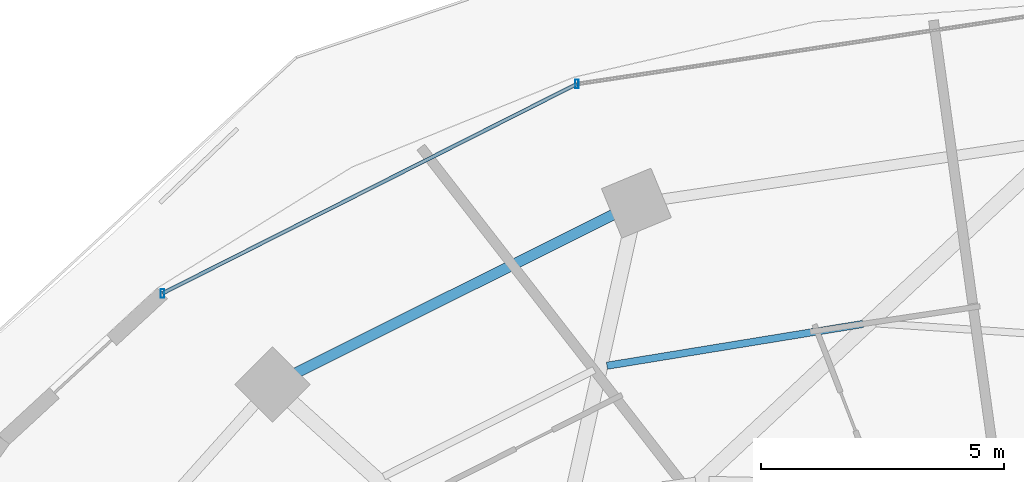
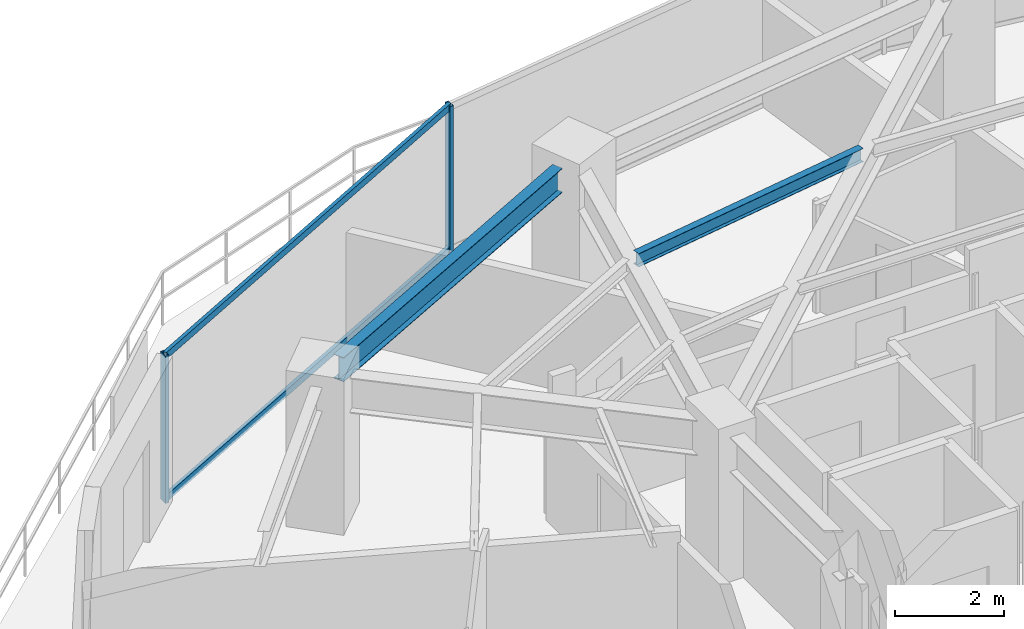
# One storey, part 16 of 30: 4 members, 2 beams, 1 element without a shape of its own.
"""IFC4 building model written with IfcOpenShell, lengths in metres."""

from ifc_helpers import new_model, si_unit, direction, frame, origin, origin_2d, place, context, subcontext, project, spatial, hollow_rectangle, i_section, extrude, material, material_profile, profile_set, type_object, element, aggregate, save


model = new_model("IFC4")

# Units and contexts
model_context = context("Model", 3, precision=1e-05, world=origin(), true_north=direction((0.0, 1.0)))
body_context = subcontext(model_context, "Body", "Model", "MODEL_VIEW")
ifc_project = project(units=[si_unit("LENGTHUNIT", "METRE"), si_unit("AREAUNIT", "SQUARE_METRE"), si_unit("VOLUMEUNIT", "CUBIC_METRE"), si_unit("PLANEANGLEUNIT", "RADIAN"), si_unit("MASSUNIT", "GRAM", prefix="KILO")], contexts=[model_context])

# Site, building, storey
site_placement = place(None, origin())
site = spatial("IfcSite", under=ifc_project, at=site_placement, CompositionType="ELEMENT")
building_placement = place(site_placement, origin())
building = spatial("IfcBuilding", under=site, at=building_placement, Name="Vorneva Point Tower", CompositionType="ELEMENT")
storey_placement = place(building_placement, frame((0.0, 0.0, 92.800048828125)))
storey = spatial("IfcBuildingStorey", under=building, at=storey_placement, Name="L24", CompositionType="ELEMENT", Elevation=92.800048828125)

# Beams
ifc_material_1 = material(Name="Steel S355", Category="steel")
ifc_material_profile_1 = material_profile(ifc_material_1, i_section(OverallWidth=0.14892578125, OverallDepth=0.298095703125, WebThickness=0.005615234375, FlangeThickness=0.008056640625, at=origin_2d()), Name="30B1")
ifc_profile_set_1 = profile_set([ifc_material_profile_1], Name="Steel S355")
beam_type_1 = type_object("IfcBeamType", Name="BM-JST-30B1", PredefinedType="JOIST", material=ifc_profile_set_1)
beam_1_placement = place(storey_placement, frame((33.831787109375, 39.408203125, 3.091064453125), z_axis=(-0.986930947591, -0.161143739214, 0.0), x_axis=(0.161143739214, -0.986930947591, 0.0)))
element("IfcBeam", 1, at=beam_1_placement, inside=storey, type_object=beam_type_1, Name="L24 Secondary Floor Beam 1.05", PredefinedType="JOIST", context=body_context, shape_type="SweptSolid", body=[
    extrude(i_section(OverallWidth=0.14892578125, OverallDepth=0.298095703125, WebThickness=0.005615234375, FlangeThickness=0.008056640625, at=origin_2d()), origin(), (0.0, 0.0, 1.0), 5.328369140625),
])
ifc_material_profile_2 = material_profile(ifc_material_1, i_section(OverallWidth=0.219970703125, OverallDepth=0.54296875, WebThickness=0.009521484375, FlangeThickness=0.013427734375, at=origin_2d()), Name="55B1")
ifc_profile_set_2 = profile_set([ifc_material_profile_2], Name="Steel S355")
beam_type_2 = type_object("IfcBeamType", Name="BM-SPN-55B1", PredefinedType="SPANDREL", material=ifc_profile_set_2)
beam_2_placement = place(storey_placement, frame((28.7001953125, 41.652099609375, 2.968505859375), z_axis=(-0.894915882304, -0.446234874926, 0.0), x_axis=(0.446234874926, -0.894915882304, 0.0)))
element("IfcBeam", 2, at=beam_2_placement, inside=storey, type_object=beam_type_2, Name="L24 Perimeter Spandrel Ring Beam 06", PredefinedType="SPANDREL", context=body_context, shape_type="SweptSolid", body=[
    extrude(i_section(OverallWidth=0.219970703125, OverallDepth=0.54296875, WebThickness=0.009521484375, FlangeThickness=0.013427734375, at=origin_2d()), origin(), (0.0, 0.0, 1.0), 7.285888671875),
])

# Curtain wall, members
ifc_material_2 = material(Name="Pale anodised aluminium", Category="aluminium")
curtain_wall_type = type_object("IfcCurtainWallType", Name="CW-HTL-SYS", PredefinedType="NOTDEFINED", material=ifc_material_2)
curtain_wall_placement = place(storey_placement, origin())
curtain_wall = element("IfcCurtainWall", 3, at=curtain_wall_placement, inside=storey, type_object=curtain_wall_type, Name="L24 Unitised Curtain Wall CW-L24-R02", PredefinedType="NOTDEFINED")
ifc_material_profile_3 = material_profile(ifc_material_2, hollow_rectangle(XDim=0.074951171875, YDim=0.179931640625, WallThickness=0.00390625, at=origin_2d()), Name="AL-MUL 180x75x4")
ifc_profile_set_3 = profile_set([ifc_material_profile_3], Name="Pale anodised aluminium")
member_type_1 = type_object("IfcMemberType", Name="CW-MUL-180", PredefinedType="MULLION", material=ifc_profile_set_3)
member_1_placement = place(storey_placement, frame((27.95458984375, 44.339111328125, -0.0400390625), z_axis=(0.0, 0.0, 1.0), x_axis=(1.0, 0.0, 0.0)))
member_1 = element("IfcMember", 4, at=member_1_placement, type_object=member_type_1, Name="CW-L24-R02 Mullion 04", PredefinedType="MULLION", context=body_context, shape_type="SweptSolid", body=[
    extrude(hollow_rectangle(XDim=0.074951171875, YDim=0.179931640625, WallThickness=0.00390625, at=origin_2d()), origin(), (0.0, 0.0, 1.0), 3.31005859375),
])
member_2_placement = place(storey_placement, frame((19.4384765625, 40.0361328125, -0.0400390625), z_axis=(0.0, 0.0, 1.0), x_axis=(1.0, 0.0, 0.0)))
member_2 = element("IfcMember", 5, at=member_2_placement, type_object=member_type_1, Name="CW-L24-R02 Mullion 05", PredefinedType="MULLION", context=body_context, shape_type="SweptSolid", body=[
    extrude(hollow_rectangle(XDim=0.074951171875, YDim=0.179931640625, WallThickness=0.00390625, at=origin_2d()), origin(), (0.0, 0.0, 1.0), 3.31005859375),
])
ifc_material_profile_4 = material_profile(ifc_material_2, hollow_rectangle(XDim=0.074951171875, YDim=0.14990234375, WallThickness=0.00390625, at=origin_2d()), Name="AL-TRN 150x75x4")
ifc_profile_set_4 = profile_set([ifc_material_profile_4], Name="Pale anodised aluminium")
member_type_2 = type_object("IfcMemberType", Name="CW-TRN-150", PredefinedType="USERDEFINED", material=ifc_profile_set_4)
member_3_placement = place(storey_placement, frame((27.95458984375, 44.339111328125, 0.02001953125), z_axis=(-0.892536035732, -0.450976080207, 0.0), x_axis=(0.450976080207, -0.892536035732, 0.0)))
member_3 = element("IfcMember", 6, at=member_3_placement, type_object=member_type_2, Name="CW-L24-R02 Transom 04.1", ObjectType="TRANSOM", PredefinedType="USERDEFINED", context=body_context, shape_type="SweptSolid", body=[
    extrude(hollow_rectangle(XDim=0.074951171875, YDim=0.14990234375, WallThickness=0.00390625, at=origin_2d()), origin(), (0.0, 0.0, 1.0), 9.54150390625),
])
member_4_placement = place(storey_placement, frame((27.95458984375, 44.339111328125, 3.219970703125), z_axis=(-0.892536035732, -0.450976080207, 0.0), x_axis=(0.450976080207, -0.892536035732, 0.0)))
member_4 = element("IfcMember", 7, at=member_4_placement, type_object=member_type_2, Name="CW-L24-R02 Transom 04.2", ObjectType="TRANSOM", PredefinedType="USERDEFINED", context=body_context, shape_type="SweptSolid", body=[
    extrude(hollow_rectangle(XDim=0.074951171875, YDim=0.14990234375, WallThickness=0.00390625, at=origin_2d()), origin(), (0.0, 0.0, 1.0), 9.54150390625),
])
aggregate(curtain_wall, [member_1, member_2, member_3, member_4])

save(model, "model.ifc")
